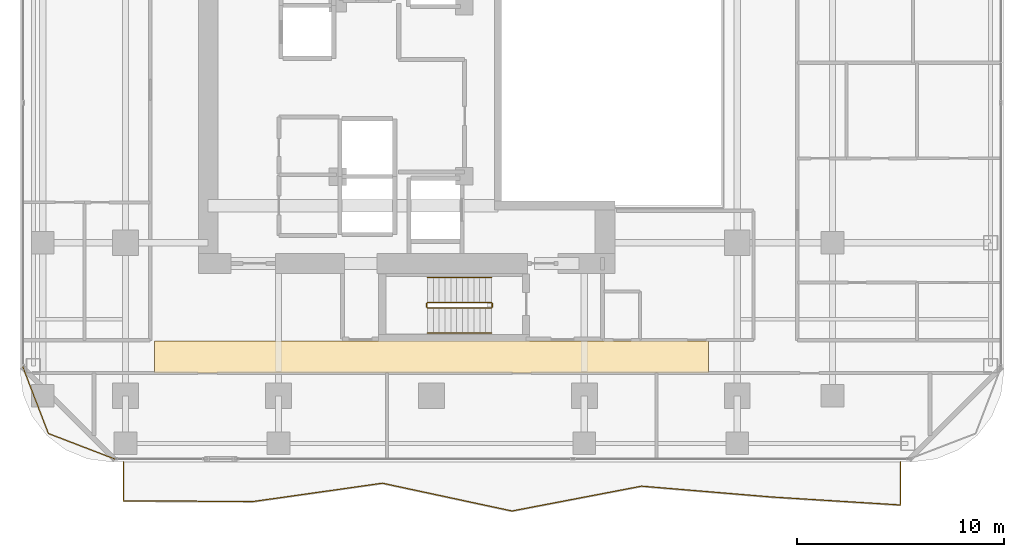
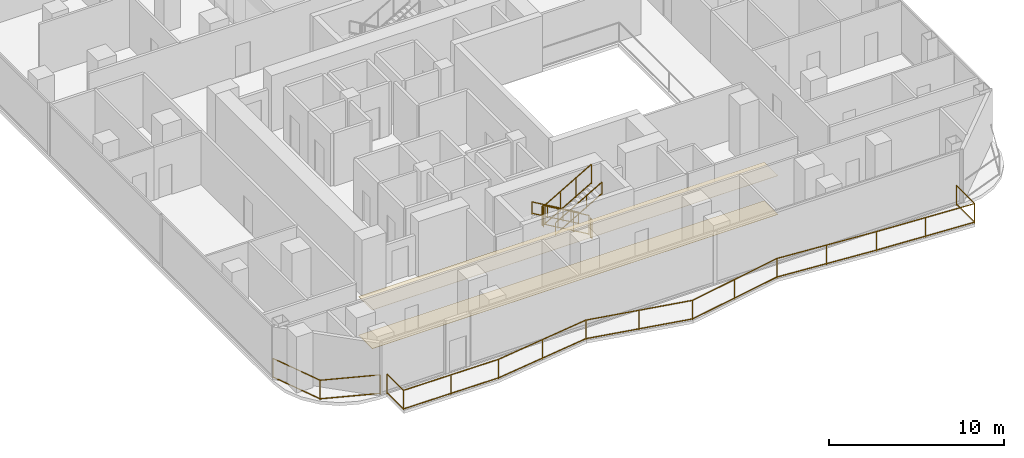
# One storey, part 25 of 27: 8 railings, 2 coverings.
"""IFC4 building model written with IfcOpenShell, lengths in metres."""

from ifc_helpers import new_model, si_unit, direction, frame, origin, origin_2d, place, context, subcontext, project, spatial, polyline, rectangle, outline, extrude, material, layer, layer_set, type_object, element, save


model = new_model("IFC4")

# Units and contexts
model_context = context("Model", 3, precision=1e-05, world=origin(), true_north=direction((0.0, 1.0)))
body_context = subcontext(model_context, "Body", "Model", "MODEL_VIEW")
ifc_project = project(units=[si_unit("LENGTHUNIT", "METRE"), si_unit("AREAUNIT", "SQUARE_METRE"), si_unit("VOLUMEUNIT", "CUBIC_METRE"), si_unit("PLANEANGLEUNIT", "RADIAN"), si_unit("MASSUNIT", "GRAM", prefix="KILO")], contexts=[model_context])

# Site, building, storey
site_placement = place(None, origin())
site = spatial("IfcSite", under=ifc_project, at=site_placement, CompositionType="ELEMENT")
building_placement = place(site_placement, origin())
building = spatial("IfcBuilding", under=site, at=building_placement, Name="Khorvyn Point Tower", CompositionType="ELEMENT")
storey_placement = place(building_placement, frame((0.0, 0.0, 129.0)))
storey = spatial("IfcBuildingStorey", under=building, at=storey_placement, Name="L32", CompositionType="ELEMENT", Elevation=129.0)

# Railings
ifc_material_1 = material(Name="Anodised aluminium 6063-T6 and laminated safety glass", Category="aluminium")
railing_type_1 = type_object("IfcRailingType", Name="Laminated Glass and Aluminium Balcony Guardrail 1400", PredefinedType="BALUSTRADE", material=ifc_material_1)
railing_1_placement = place(storey_placement, frame((-19.774169921875, -13.3759765625, 0.0)))
element("IfcRailing", 1, at=railing_1_placement, inside=storey, type_object=railing_type_1, Name="L32 Rounded Corner Edge Guardrail SW", PredefinedType="BALUSTRADE", context=body_context, shape_type="SweptSolid", body=[
    extrude(rectangle(XDim=0.048095703125, YDim=0.048095703125, at=origin_2d()), frame((0.0, 0.0, 1.3759765625), z_axis=(0.358382264808, -0.933574931257, 0.0), x_axis=(0.933574931257, 0.358382264808, 0.0)), (0.0, 0.0, 1.0), 3.481689453125),
    extrude(rectangle(XDim=0.048095703125, YDim=0.048095703125, at=origin_2d()), frame((0.0, 0.0, 0.080078125), z_axis=(0.358382264808, -0.933574931257, 0.0), x_axis=(0.933574931257, 0.358382264808, 0.0)), (0.0, 0.0, 1.0), 3.481689453125),
    extrude(rectangle(XDim=0.048095703125, YDim=0.048095703125, at=origin_2d()), frame((1.247802734375, -3.25048828125, 1.3759765625), z_axis=(0.933598390295, -0.358321148746, 0.0), x_axis=(0.358321148746, 0.933598390295, 0.0)), (0.0, 0.0, 1.0), 3.481689453125),
    extrude(rectangle(XDim=0.048095703125, YDim=0.048095703125, at=origin_2d()), frame((1.247802734375, -3.25048828125, 0.080078125), z_axis=(0.933598390295, -0.358321148746, 0.0), x_axis=(0.358321148746, 0.933598390295, 0.0)), (0.0, 0.0, 1.0), 3.481689453125),
    extrude(rectangle(XDim=0.0419921875, YDim=0.0419921875, at=origin_2d()), origin(), (0.0, 0.0, 1.0), 1.351806640625),
    extrude(rectangle(XDim=0.0419921875, YDim=0.0419921875, at=origin_2d()), frame((1.247802734375, -3.25048828125, 0.0)), (0.0, 0.0, 1.0), 1.351806640625),
    extrude(rectangle(XDim=0.0419921875, YDim=0.0419921875, at=origin_2d()), frame((4.498291015625, -4.498046875, 0.0)), (0.0, 0.0, 1.0), 1.351806640625),
])
railing_2_placement = place(storey_placement, frame((-14.89990234375, -18.0, 0.0)))
element("IfcRailing", 2, at=railing_2_placement, inside=storey, type_object=railing_type_1, Name="L32 South Balcony Guardrail", PredefinedType="BALUSTRADE", context=body_context, shape_type="SweptSolid", body=[
    extrude(rectangle(XDim=0.048095703125, YDim=0.048095703125, at=origin_2d()), frame((0.0, 0.0, 1.3759765625), z_axis=(0.0, -1.0, 0.0), x_axis=(1.0, 0.0, 0.0)), (0.0, 0.0, 1.0), 1.881591796875),
    extrude(rectangle(XDim=0.048095703125, YDim=0.048095703125, at=origin_2d()), frame((0.0, 0.0, 0.080078125), z_axis=(0.0, -1.0, 0.0), x_axis=(1.0, 0.0, 0.0)), (0.0, 0.0, 1.0), 1.881591796875),
    extrude(rectangle(XDim=0.048095703125, YDim=0.048095703125, at=origin_2d()), frame((0.0, -1.881591796875, 1.3759765625), z_axis=(0.999983823628, -0.005687924195, 0.0), x_axis=(0.005687924195, 0.999983823628, 0.0)), (0.0, 0.0, 1.0), 6.2666015625),
    extrude(rectangle(XDim=0.048095703125, YDim=0.048095703125, at=origin_2d()), frame((0.0, -1.881591796875, 0.080078125), z_axis=(0.999983823628, -0.005687924195, 0.0), x_axis=(0.005687924195, 0.999983823628, 0.0)), (0.0, 0.0, 1.0), 6.2666015625),
    extrude(rectangle(XDim=0.048095703125, YDim=0.048095703125, at=origin_2d()), frame((6.2666015625, -1.917236328125, 1.3759765625), z_axis=(0.990115445767, 0.14025478264, 0.0), x_axis=(-0.14025478264, 0.990115445767, 0.0)), (0.0, 0.0, 1.0), 6.3291015625),
    extrude(rectangle(XDim=0.048095703125, YDim=0.048095703125, at=origin_2d()), frame((6.2666015625, -1.917236328125, 0.080078125), z_axis=(0.990115445767, 0.14025478264, 0.0), x_axis=(-0.14025478264, 0.990115445767, 0.0)), (0.0, 0.0, 1.0), 6.3291015625),
    extrude(rectangle(XDim=0.048095703125, YDim=0.048095703125, at=origin_2d()), frame((12.533203125, -1.029541015625, 1.3759765625), z_axis=(0.977765606947, -0.209700781761, 0.0), x_axis=(0.209700781761, 0.977765606947, 0.0)), (0.0, 0.0, 1.0), 6.4091796875),
    extrude(rectangle(XDim=0.048095703125, YDim=0.048095703125, at=origin_2d()), frame((12.533203125, -1.029541015625, 0.080078125), z_axis=(0.977765606947, -0.209700781761, 0.0), x_axis=(0.209700781761, 0.977765606947, 0.0)), (0.0, 0.0, 1.0), 6.4091796875),
    extrude(rectangle(XDim=0.048095703125, YDim=0.048095703125, at=origin_2d()), frame((18.7998046875, -2.37353515625, 1.3759765625), z_axis=(0.982122245622, 0.188244242022, 0.0), x_axis=(-0.188244242022, 0.982122245622, 0.0)), (0.0, 0.0, 1.0), 6.380859375),
    extrude(rectangle(XDim=0.048095703125, YDim=0.048095703125, at=origin_2d()), frame((18.7998046875, -2.37353515625, 0.080078125), z_axis=(0.982122245622, 0.188244242022, 0.0), x_axis=(-0.188244242022, 0.982122245622, 0.0)), (0.0, 0.0, 1.0), 6.380859375),
    extrude(rectangle(XDim=0.048095703125, YDim=0.048095703125, at=origin_2d()), frame((25.066650390625, -1.17236328125, 1.3759765625), z_axis=(0.996536112454, -0.083161148234, 0.0), x_axis=(0.083161148234, 0.996536112454, 0.0)), (0.0, 0.0, 1.0), 6.288330078125),
    extrude(rectangle(XDim=0.048095703125, YDim=0.048095703125, at=origin_2d()), frame((25.066650390625, -1.17236328125, 0.080078125), z_axis=(0.996536112454, -0.083161148234, 0.0), x_axis=(0.083161148234, 0.996536112454, 0.0)), (0.0, 0.0, 1.0), 6.288330078125),
    extrude(rectangle(XDim=0.048095703125, YDim=0.048095703125, at=origin_2d()), frame((31.333251953125, -1.6953125, 1.3759765625), z_axis=(0.998086922603, -0.061826328773, 0.0), x_axis=(0.061826328773, 0.998086922603, 0.0)), (0.0, 0.0, 1.0), 6.278564453125),
    extrude(rectangle(XDim=0.048095703125, YDim=0.048095703125, at=origin_2d()), frame((31.333251953125, -1.6953125, 0.080078125), z_axis=(0.998086922603, -0.061826328773, 0.0), x_axis=(0.061826328773, 0.998086922603, 0.0)), (0.0, 0.0, 1.0), 6.278564453125),
    extrude(rectangle(XDim=0.048095703125, YDim=0.048095703125, at=origin_2d()), frame((37.599853515625, -2.08349609375, 1.3759765625), z_axis=(0.0, 1.0, 0.0), x_axis=(-1.0, 0.0, 0.0)), (0.0, 0.0, 1.0), 2.08349609375),
    extrude(rectangle(XDim=0.048095703125, YDim=0.048095703125, at=origin_2d()), frame((37.599853515625, -2.08349609375, 0.080078125), z_axis=(0.0, 1.0, 0.0), x_axis=(-1.0, 0.0, 0.0)), (0.0, 0.0, 1.0), 2.08349609375),
    extrude(rectangle(XDim=0.0419921875, YDim=0.0419921875, at=origin_2d()), origin(), (0.0, 0.0, 1.0), 1.351806640625),
    extrude(rectangle(XDim=0.0419921875, YDim=0.0419921875, at=origin_2d()), frame((0.0, -1.881591796875, 0.0)), (0.0, 0.0, 1.0), 1.351806640625),
    extrude(rectangle(XDim=0.0419921875, YDim=0.0419921875, at=origin_2d()), frame((3.13330078125, -1.8994140625, 0.0)), (0.0, 0.0, 1.0), 1.351806640625),
    extrude(rectangle(XDim=0.0419921875, YDim=0.0419921875, at=origin_2d()), frame((6.2666015625, -1.917236328125, 0.0)), (0.0, 0.0, 1.0), 1.351806640625),
    extrude(rectangle(XDim=0.0419921875, YDim=0.0419921875, at=origin_2d()), frame((9.39990234375, -1.473388671875, 0.0)), (0.0, 0.0, 1.0), 1.351806640625),
    extrude(rectangle(XDim=0.0419921875, YDim=0.0419921875, at=origin_2d()), frame((12.533203125, -1.029541015625, 0.0)), (0.0, 0.0, 1.0), 1.351806640625),
    extrude(rectangle(XDim=0.0419921875, YDim=0.0419921875, at=origin_2d()), frame((15.66650390625, -1.70166015625, 0.0)), (0.0, 0.0, 1.0), 1.351806640625),
    extrude(rectangle(XDim=0.0419921875, YDim=0.0419921875, at=origin_2d()), frame((18.7998046875, -2.37353515625, 0.0)), (0.0, 0.0, 1.0), 1.351806640625),
    extrude(rectangle(XDim=0.0419921875, YDim=0.0419921875, at=origin_2d()), frame((21.93310546875, -1.77294921875, 0.0)), (0.0, 0.0, 1.0), 1.351806640625),
    extrude(rectangle(XDim=0.0419921875, YDim=0.0419921875, at=origin_2d()), frame((25.066650390625, -1.17236328125, 0.0)), (0.0, 0.0, 1.0), 1.351806640625),
    extrude(rectangle(XDim=0.0419921875, YDim=0.0419921875, at=origin_2d()), frame((28.199951171875, -1.433837890625, 0.0)), (0.0, 0.0, 1.0), 1.351806640625),
    extrude(rectangle(XDim=0.0419921875, YDim=0.0419921875, at=origin_2d()), frame((31.333251953125, -1.6953125, 0.0)), (0.0, 0.0, 1.0), 1.351806640625),
    extrude(rectangle(XDim=0.0419921875, YDim=0.0419921875, at=origin_2d()), frame((34.466552734375, -1.889404296875, 0.0)), (0.0, 0.0, 1.0), 1.351806640625),
    extrude(rectangle(XDim=0.0419921875, YDim=0.0419921875, at=origin_2d()), frame((37.599853515625, -2.08349609375, 0.0)), (0.0, 0.0, 1.0), 1.351806640625),
    extrude(rectangle(XDim=0.0419921875, YDim=0.0419921875, at=origin_2d()), frame((37.599853515625, 0.0, 0.0)), (0.0, 0.0, 1.0), 1.351806640625),
])

# Coverings
ifc_material_2 = material(Name="Mineral-fibre acoustic ceiling board", Category="gypsum")
ifc_layer_1 = layer(ifc_material_2, 0.02001953125)
ifc_layer_set_1 = layer_set([ifc_layer_1], Name="Perforated Mineral-Fibre Acoustic Suspended Ceiling 20")
covering_type_1 = type_object("IfcCoveringType", Name="Perforated Mineral-Fibre Acoustic Suspended Ceiling 20", PredefinedType="CEILING", material=ifc_layer_set_1)
covering_1_placement = place(storey_placement, frame((0.0, 0.0, 2.699951171875)))
element("IfcCovering", 3, at=covering_1_placement, inside=storey, type_object=covering_type_1, Name="L32 South Corridor Acoustic Ceiling", PredefinedType="CEILING", context=body_context, shape_type="SweptSolid", body=[
    extrude(outline(polyline([(-13.39990234375, -13.7099609375), (13.39990234375, -13.7099609375), (13.39990234375, -12.139892578125), (-13.39990234375, -12.139892578125), (-13.39990234375, -13.7099609375)])), origin(), (0.0, 0.0, 1.0), 0.02001953125),
])
ifc_material_3 = material(Name="Vitrified porcelain terrazzo tile", Category="ceramic")
ifc_layer_2 = layer(ifc_material_3, 0.01806640625)
ifc_layer_set_2 = layer_set([ifc_layer_2], Name="Porcelain Terrazzo Corridor Floor Finish Tile 18")
covering_type_2 = type_object("IfcCoveringType", Name="Porcelain Terrazzo Corridor Floor Finish Tile 18", PredefinedType="FLOORING", material=ifc_layer_set_2)
covering_2_placement = place(storey_placement, origin())
element("IfcCovering", 4, at=covering_2_placement, inside=storey, type_object=covering_type_2, Name="L32 South Corridor Terrazzo Flooring", PredefinedType="FLOORING", context=body_context, shape_type="SweptSolid", body=[
    extrude(outline(polyline([(-13.39990234375, -13.7099609375), (13.39990234375, -13.7099609375), (13.39990234375, -12.139892578125), (-13.39990234375, -12.139892578125), (-13.39990234375, -13.7099609375)])), origin(), (0.0, 0.0, 1.0), 0.01806640625),
])

# Railings
ifc_material_4 = material(Name="Stainless steel 1.4301", Category="steel")
railing_type_2 = type_object("IfcRailingType", Name="Stainless Steel 304 Stair Pitch Handrail 900", PredefinedType="HANDRAIL", material=ifc_material_4)
railing_3_placement = place(storey_placement, frame((2.89990234375, -9.070068359375, 0.16259765625)))
element("IfcRailing", 5, at=railing_3_placement, inside=storey, type_object=railing_type_2, Name="L32 ST-01 stair handrail 1", PredefinedType="HANDRAIL", context=body_context, shape_type="SweptSolid", body=[
    extrude(rectangle(XDim=0.048095703125, YDim=0.048095703125, at=origin_2d()), frame((0.0, 0.0, 0.8759765625), z_axis=(-0.864903211148, 0.0, 0.501938676878), x_axis=(0.0, -1.0, 0.0)), (0.0, 0.0, 1.0), 3.560791015625),
    extrude(rectangle(XDim=0.048095703125, YDim=0.048095703125, at=origin_2d()), frame((0.0, 0.0, 0.080078125), z_axis=(-0.864903211148, 0.0, 0.501938676878), x_axis=(0.0, -1.0, 0.0)), (0.0, 0.0, 1.0), 3.560791015625),
    extrude(rectangle(XDim=0.0419921875, YDim=0.0419921875, at=origin_2d()), origin(), (0.0, 0.0, 1.0), 0.851806640625),
    extrude(rectangle(XDim=0.0419921875, YDim=0.0419921875, at=origin_2d()), frame((-1.026611328125, 0.0, 0.595703125)), (0.0, 0.0, 1.0), 0.851806640625),
    extrude(rectangle(XDim=0.0419921875, YDim=0.0419921875, at=origin_2d()), frame((-2.05322265625, 0.0, 1.191650390625)), (0.0, 0.0, 1.0), 0.851806640625),
    extrude(rectangle(XDim=0.0419921875, YDim=0.0419921875, at=origin_2d()), frame((-3.079833984375, 0.0, 1.787353515625)), (0.0, 0.0, 1.0), 0.851806640625),
])
railing_4_placement = place(storey_placement, frame((-0.179931640625, -11.77001953125, 2.112548828125)))
element("IfcRailing", 6, at=railing_4_placement, inside=storey, type_object=railing_type_2, Name="L32 ST-01 stair handrail 2", PredefinedType="HANDRAIL", context=body_context, shape_type="SweptSolid", body=[
    extrude(rectangle(XDim=0.048095703125, YDim=0.048095703125, at=origin_2d()), frame((0.0, 0.0, 0.8759765625), z_axis=(0.864903211148, 0.0, 0.501938676878), x_axis=(0.0, 1.0, 0.0)), (0.0, 0.0, 1.0), 3.560791015625),
    extrude(rectangle(XDim=0.048095703125, YDim=0.048095703125, at=origin_2d()), frame((0.0, 0.0, 0.080078125), z_axis=(0.864903211148, 0.0, 0.501938676878), x_axis=(0.0, 1.0, 0.0)), (0.0, 0.0, 1.0), 3.560791015625),
    extrude(rectangle(XDim=0.0419921875, YDim=0.0419921875, at=origin_2d()), origin(), (0.0, 0.0, 1.0), 0.851806640625),
    extrude(rectangle(XDim=0.0419921875, YDim=0.0419921875, at=origin_2d()), frame((1.026611328125, 0.0, 0.595703125)), (0.0, 0.0, 1.0), 0.851806640625),
    extrude(rectangle(XDim=0.0419921875, YDim=0.0419921875, at=origin_2d()), frame((2.05322265625, 0.0, 1.191650390625)), (0.0, 0.0, 1.0), 0.851806640625),
    extrude(rectangle(XDim=0.0419921875, YDim=0.0419921875, at=origin_2d()), frame((3.079833984375, 0.0, 1.787353515625)), (0.0, 0.0, 1.0), 0.851806640625),
])
railing_type_3 = type_object("IfcRailingType", Name="Stainless Steel 304 Stair Well Guardrail 1400", PredefinedType="GUARDRAIL", material=ifc_material_4)
railing_5_placement = place(storey_placement, frame((2.89990234375, -10.2900390625, 0.16259765625)))
element("IfcRailing", 7, at=railing_5_placement, inside=storey, type_object=railing_type_3, Name="L32 ST-01 stair guard 1", PredefinedType="GUARDRAIL", context=body_context, shape_type="SweptSolid", body=[
    extrude(rectangle(XDim=0.048095703125, YDim=0.048095703125, at=origin_2d()), frame((0.0, 0.0, 1.3759765625), z_axis=(-0.864903211148, 0.0, 0.501938676878), x_axis=(0.0, -1.0, 0.0)), (0.0, 0.0, 1.0), 3.560791015625),
    extrude(rectangle(XDim=0.048095703125, YDim=0.048095703125, at=origin_2d()), frame((0.0, 0.0, 0.080078125), z_axis=(-0.864903211148, 0.0, 0.501938676878), x_axis=(0.0, -1.0, 0.0)), (0.0, 0.0, 1.0), 3.560791015625),
    extrude(rectangle(XDim=0.0419921875, YDim=0.0419921875, at=origin_2d()), origin(), (0.0, 0.0, 1.0), 1.351806640625),
    extrude(rectangle(XDim=0.0419921875, YDim=0.0419921875, at=origin_2d()), frame((-1.026611328125, 0.0, 0.595703125)), (0.0, 0.0, 1.0), 1.351806640625),
    extrude(rectangle(XDim=0.0419921875, YDim=0.0419921875, at=origin_2d()), frame((-2.05322265625, 0.0, 1.191650390625)), (0.0, 0.0, 1.0), 1.351806640625),
    extrude(rectangle(XDim=0.0419921875, YDim=0.0419921875, at=origin_2d()), frame((-3.079833984375, 0.0, 1.787353515625)), (0.0, 0.0, 1.0), 1.351806640625),
])
railing_6_placement = place(storey_placement, frame((-0.22998046875, -10.340087890625, 1.949951171875)))
element("IfcRailing", 8, at=railing_6_placement, inside=storey, type_object=railing_type_3, Name="L32 ST-01 stair guard 2", PredefinedType="GUARDRAIL", context=body_context, shape_type="SweptSolid", body=[
    extrude(rectangle(XDim=0.048095703125, YDim=0.048095703125, at=origin_2d()), frame((0.0, 0.0, 1.3759765625), z_axis=(0.0, -1.0, 0.0), x_axis=(1.0, 0.0, 0.0)), (0.0, 0.0, 1.0), 0.159912109375),
    extrude(rectangle(XDim=0.048095703125, YDim=0.048095703125, at=origin_2d()), frame((0.0, 0.0, 0.080078125), z_axis=(0.0, -1.0, 0.0), x_axis=(1.0, 0.0, 0.0)), (0.0, 0.0, 1.0), 0.159912109375),
    extrude(rectangle(XDim=0.0419921875, YDim=0.0419921875, at=origin_2d()), origin(), (0.0, 0.0, 1.0), 1.351806640625),
    extrude(rectangle(XDim=0.0419921875, YDim=0.0419921875, at=origin_2d()), frame((0.0, -0.159912109375, 0.0)), (0.0, 0.0, 1.0), 1.351806640625),
])
railing_7_placement = place(storey_placement, frame((-0.179931640625, -10.550048828125, 2.112548828125)))
element("IfcRailing", 9, at=railing_7_placement, inside=storey, type_object=railing_type_3, Name="L32 ST-01 stair guard 3", PredefinedType="GUARDRAIL", context=body_context, shape_type="SweptSolid", body=[
    extrude(rectangle(XDim=0.048095703125, YDim=0.048095703125, at=origin_2d()), frame((0.0, 0.0, 1.3759765625), z_axis=(0.864903211148, 0.0, 0.501938676878), x_axis=(0.0, 1.0, 0.0)), (0.0, 0.0, 1.0), 3.560791015625),
    extrude(rectangle(XDim=0.048095703125, YDim=0.048095703125, at=origin_2d()), frame((0.0, 0.0, 0.080078125), z_axis=(0.864903211148, 0.0, 0.501938676878), x_axis=(0.0, 1.0, 0.0)), (0.0, 0.0, 1.0), 3.560791015625),
    extrude(rectangle(XDim=0.0419921875, YDim=0.0419921875, at=origin_2d()), origin(), (0.0, 0.0, 1.0), 1.351806640625),
    extrude(rectangle(XDim=0.0419921875, YDim=0.0419921875, at=origin_2d()), frame((1.026611328125, 0.0, 0.595703125)), (0.0, 0.0, 1.0), 1.351806640625),
    extrude(rectangle(XDim=0.0419921875, YDim=0.0419921875, at=origin_2d()), frame((2.05322265625, 0.0, 1.191650390625)), (0.0, 0.0, 1.0), 1.351806640625),
    extrude(rectangle(XDim=0.0419921875, YDim=0.0419921875, at=origin_2d()), frame((3.079833984375, 0.0, 1.787353515625)), (0.0, 0.0, 1.0), 1.351806640625),
])
railing_8_placement = place(storey_placement, frame((2.949951171875, -10.340087890625, 0.0)))
element("IfcRailing", 10, at=railing_8_placement, inside=storey, type_object=railing_type_3, Name="L32 ST-01 stair guard 4", PredefinedType="GUARDRAIL", context=body_context, shape_type="SweptSolid", body=[
    extrude(rectangle(XDim=0.048095703125, YDim=0.048095703125, at=origin_2d()), frame((0.0, 0.0, 1.3759765625), z_axis=(0.0, -1.0, 0.0), x_axis=(1.0, 0.0, 0.0)), (0.0, 0.0, 1.0), 0.159912109375),
    extrude(rectangle(XDim=0.048095703125, YDim=0.048095703125, at=origin_2d()), frame((0.0, 0.0, 0.080078125), z_axis=(0.0, -1.0, 0.0), x_axis=(1.0, 0.0, 0.0)), (0.0, 0.0, 1.0), 0.159912109375),
    extrude(rectangle(XDim=0.0419921875, YDim=0.0419921875, at=origin_2d()), origin(), (0.0, 0.0, 1.0), 1.351806640625),
    extrude(rectangle(XDim=0.0419921875, YDim=0.0419921875, at=origin_2d()), frame((0.0, -0.159912109375, 0.0)), (0.0, 0.0, 1.0), 1.351806640625),
])

save(model, "model.ifc")
